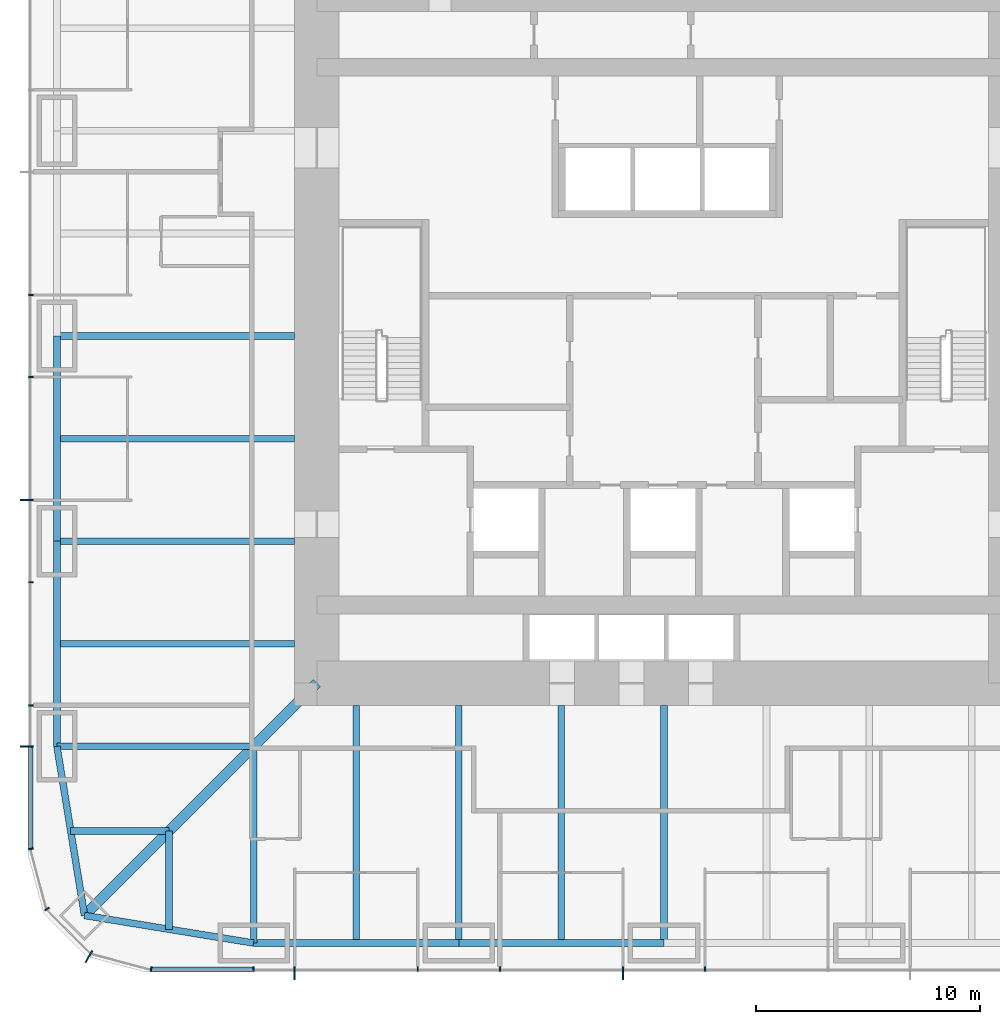
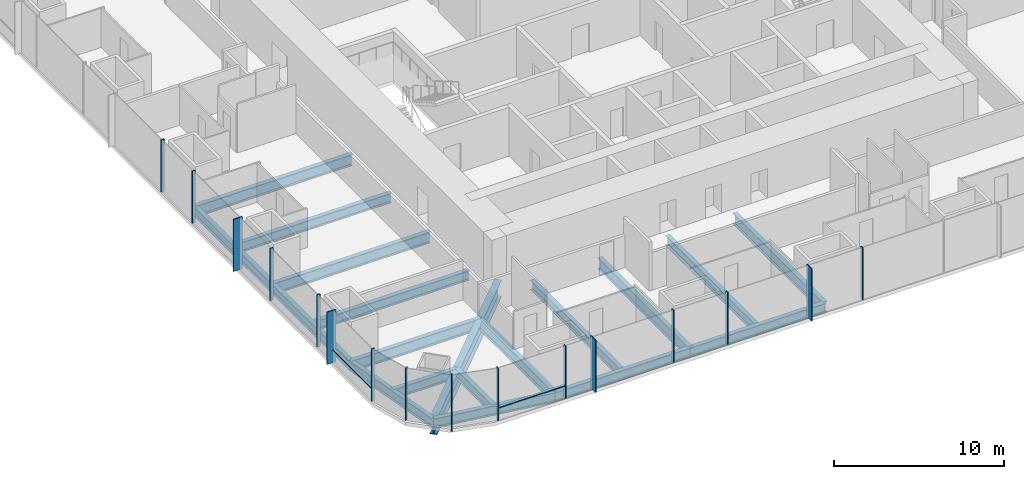
# One storey, part 2 of 11: 19 beams, 18 members, 3 elements without a shape of their own.
"""IFC4 building model written with IfcOpenShell, lengths in metres."""

from ifc_helpers import new_model, si_unit, direction, frame, origin, origin_2d, place, context, subcontext, project, spatial, rectangle, i_section, extrude, material, material_profile, profile_set, type_object, element, aggregate, save


model = new_model("IFC4")

# Units and contexts
model_context = context("Model", 3, precision=1e-05, world=origin(), true_north=direction((0.0, 1.0)))
body_context = subcontext(model_context, "Body", "Model", "MODEL_VIEW")
ifc_project = project(units=[si_unit("LENGTHUNIT", "METRE"), si_unit("AREAUNIT", "SQUARE_METRE"), si_unit("VOLUMEUNIT", "CUBIC_METRE"), si_unit("PLANEANGLEUNIT", "RADIAN"), si_unit("MASSUNIT", "GRAM", prefix="KILO")], contexts=[model_context])

# Site, building, storey
site_placement = place(None, origin())
site = spatial("IfcSite", under=ifc_project, at=site_placement, CompositionType="ELEMENT")
building_placement = place(site_placement, origin())
building = spatial("IfcBuilding", under=site, at=building_placement, Name="Khuree Lantern Residences", CompositionType="ELEMENT")
storey_placement = place(building_placement, frame((0.0, 0.0, 171.0)))
storey = spatial("IfcBuildingStorey", under=building, at=storey_placement, Name="L43", CompositionType="ELEMENT", Elevation=171.0)

# Beams
ifc_material_1 = material(Name="Steel S355", Category="steel")
ifc_material_profile_1 = material_profile(ifc_material_1, i_section(OverallWidth=0.300048828125, OverallDepth=0.68994140625, WebThickness=0.014404296875, FlangeThickness=0.027099609375, FilletRadius=0.027099609375, at=origin_2d()), Name="HE 700 A")
ifc_profile_set_1 = profile_set([ifc_material_profile_1], Name="Steel S355")
beam_type_1 = type_object("IfcBeamType", Name="B-25A SECONDARY BEAM HE 700 A", PredefinedType="BEAM", material=ifc_profile_set_1)
for number, where, z_axis, x_axis, name in (
    (1, (-4.580078125, -27.10009765625, -0.594970703125), (0.0, 1.0, 0.0), (-1.0, 0.0, 0.0), "Secondary beam S4"),
    (2, (-13.739990234375, -27.10009765625, -0.594970703125), (0.0, 1.0, 0.0), (-1.0, 0.0, 0.0), "Secondary beam S5"),
):
    element("IfcBeam", number, at=place(storey_placement, frame(where, z_axis=z_axis, x_axis=x_axis)), inside=storey, type_object=beam_type_1, Name=name, PredefinedType="BEAM", context=body_context, shape_type="SweptSolid", body=[
        extrude(i_section(OverallWidth=0.300048828125, OverallDepth=0.68994140625, WebThickness=0.014404296875, FlangeThickness=0.027099609375, FilletRadius=0.027099609375, at=origin_2d()), origin(), (0.0, 0.0, 1.0), 10.60009765625),
    ])
for number, where, z_axis, x_axis, name in (
    (3, (-22.094970703125, -26.48486328125, -0.594970703125), (0.0, 1.0, 0.0), (-1.0, 0.0, 0.0), "Secondary beam S6"),
    (4, (-26.48486328125, -22.094970703125, -0.594970703125), (1.0, 0.0, 0.0), (0.0, 1.0, 0.0), "Secondary beam W1"),
):
    element("IfcBeam", number, at=place(storey_placement, frame(where, z_axis=z_axis, x_axis=x_axis)), inside=storey, type_object=beam_type_1, Name=name, PredefinedType="BEAM", context=body_context, shape_type="SweptSolid", body=[
        extrude(i_section(OverallWidth=0.300048828125, OverallDepth=0.68994140625, WebThickness=0.014404296875, FlangeThickness=0.027099609375, FilletRadius=0.027099609375, at=origin_2d()), origin(), (0.0, 0.0, 1.0), 4.389892578125),
    ])
for number, where, z_axis, x_axis, name in (
    (5, (-27.10009765625, -13.739990234375, -0.594970703125), (1.0, 0.0, 0.0), (0.0, 1.0, 0.0), "Secondary beam W2"),
    (6, (-27.10009765625, -4.580078125, -0.594970703125), (1.0, 0.0, 0.0), (0.0, 1.0, 0.0), "Secondary beam W3"),
):
    element("IfcBeam", number, at=place(storey_placement, frame(where, z_axis=z_axis, x_axis=x_axis)), inside=storey, type_object=beam_type_1, Name=name, PredefinedType="BEAM", context=body_context, shape_type="SweptSolid", body=[
        extrude(i_section(OverallWidth=0.300048828125, OverallDepth=0.68994140625, WebThickness=0.014404296875, FlangeThickness=0.027099609375, FilletRadius=0.027099609375, at=origin_2d()), origin(), (0.0, 0.0, 1.0), 10.60009765625),
    ])
ifc_material_profile_2 = material_profile(ifc_material_1, i_section(OverallWidth=0.300048828125, OverallDepth=0.68994140625, WebThickness=0.014404296875, FlangeThickness=0.027099609375, FilletRadius=0.027099609375, at=origin_2d()), Name="HE 700 A")
ifc_profile_set_2 = profile_set([ifc_material_profile_2], Name="Steel S355")
beam_type_2 = type_object("IfcBeamType", Name="E-25 SPANDREL BEAM HE 700 A", PredefinedType="SPANDREL", material=ifc_profile_set_2)
beam_1_placement = place(storey_placement, frame((0.0, -27.10009765625, -0.594970703125), z_axis=(-1.0, 0.0, 0.0), x_axis=(0.0, -1.0, 0.0)))
element("IfcBeam", 7, at=beam_1_placement, inside=storey, type_object=beam_type_2, Name="Spandrel beam S4", PredefinedType="SPANDREL", context=body_context, shape_type="SweptSolid", body=[
    extrude(i_section(OverallWidth=0.300048828125, OverallDepth=0.68994140625, WebThickness=0.014404296875, FlangeThickness=0.027099609375, FilletRadius=0.027099609375, at=origin_2d()), origin(), (0.0, 0.0, 1.0), 9.159912109375),
])
beam_2_placement = place(storey_placement, frame((-9.159912109375, -27.10009765625, -0.594970703125), z_axis=(-1.0, 0.0, 0.0), x_axis=(0.0, -1.0, 0.0)))
element("IfcBeam", 8, at=beam_2_placement, inside=storey, type_object=beam_type_2, Name="Spandrel beam S5", PredefinedType="SPANDREL", context=body_context, shape_type="SweptSolid", body=[
    extrude(i_section(OverallWidth=0.300048828125, OverallDepth=0.68994140625, WebThickness=0.014404296875, FlangeThickness=0.027099609375, FilletRadius=0.027099609375, at=origin_2d()), origin(), (0.0, 0.0, 1.0), 9.16015625),
])
for number, where, z_axis, x_axis, name in (
    (9, (-18.320068359375, -27.10009765625, -0.594970703125), (-0.986982656839, 0.160826723833, 0.0), (-0.160826723833, -0.986982656839, 0.0), "Spandrel beam S6"),
    (10, (-25.869873046875, -25.869873046875, -0.594970703125), (-0.160826723833, 0.986982656839, 0.0), (-0.986982656839, -0.160826723833, 0.0), "Spandrel beam W1"),
):
    element("IfcBeam", number, at=place(storey_placement, frame(where, z_axis=z_axis, x_axis=x_axis)), inside=storey, type_object=beam_type_2, Name=name, PredefinedType="SPANDREL", context=body_context, shape_type="SweptSolid", body=[
        extrude(i_section(OverallWidth=0.300048828125, OverallDepth=0.68994140625, WebThickness=0.014404296875, FlangeThickness=0.027099609375, FilletRadius=0.027099609375, at=origin_2d()), origin(), (0.0, 0.0, 1.0), 7.6494140625),
    ])
beam_3_placement = place(storey_placement, frame((-27.10009765625, -18.320068359375, -0.594970703125), z_axis=(0.0, 1.0, 0.0), x_axis=(-1.0, 0.0, 0.0)))
element("IfcBeam", 11, at=beam_3_placement, inside=storey, type_object=beam_type_2, Name="Spandrel beam W2", PredefinedType="SPANDREL", context=body_context, shape_type="SweptSolid", body=[
    extrude(i_section(OverallWidth=0.300048828125, OverallDepth=0.68994140625, WebThickness=0.014404296875, FlangeThickness=0.027099609375, FilletRadius=0.027099609375, at=origin_2d()), origin(), (0.0, 0.0, 1.0), 9.16015625),
])
beam_4_placement = place(storey_placement, frame((-27.10009765625, -9.159912109375, -0.594970703125), z_axis=(0.0, 1.0, 0.0), x_axis=(-1.0, 0.0, 0.0)))
element("IfcBeam", 12, at=beam_4_placement, inside=storey, type_object=beam_type_2, Name="Spandrel beam W3", PredefinedType="SPANDREL", context=body_context, shape_type="SweptSolid", body=[
    extrude(i_section(OverallWidth=0.300048828125, OverallDepth=0.68994140625, WebThickness=0.014404296875, FlangeThickness=0.027099609375, FilletRadius=0.027099609375, at=origin_2d()), origin(), (0.0, 0.0, 1.0), 9.159912109375),
])

# Curtain wall, members
ifc_material_2 = material(Name="Bronze anodised aluminium", Category="aluminium")
curtain_wall_type_1 = type_object("IfcCurtainWallType", Name="CW-T1 TOWER FACE CURTAIN WALL", PredefinedType="USERDEFINED", material=ifc_material_2)
curtain_wall_1_placement = place(storey_placement, origin())
curtain_wall_1 = element("IfcCurtainWall", 13, at=curtain_wall_1_placement, inside=storey, type_object=curtain_wall_type_1, Name="L43 WEST FACE CURTAIN WALL", ObjectType="Stick-built curtain wall", PredefinedType="USERDEFINED")
ifc_material_profile_3 = material_profile(ifc_material_2, rectangle(XDim=0.06494140625, YDim=0.60009765625, at=origin_2d()), Name="F1 65X600")
ifc_profile_set_3 = profile_set([ifc_material_profile_3], Name="Bronze anodised aluminium")
member_type_1 = type_object("IfcMemberType", Name="F1 BRONZE FIN MULLION TOWER 65X600", PredefinedType="MULLION", material=ifc_profile_set_3)
member_1_placement = place(storey_placement, frame((-28.449951171875, -7.327880859375, 0.0), z_axis=(0.0, 0.0, 1.0), x_axis=(0.0, -1.0, 0.0)))
member_1 = element("IfcMember", 14, at=member_1_placement, type_object=member_type_1, Name="L43 WEST FACE FIN MULLION 39", PredefinedType="MULLION", context=body_context, shape_type="SweptSolid", body=[
    extrude(rectangle(XDim=0.06494140625, YDim=0.60009765625, at=origin_2d()), origin(), (0.0, 0.0, 1.0), 3.75),
])
member_2_placement = place(storey_placement, frame((-28.449951171875, -18.320068359375, 0.0), z_axis=(0.0, 0.0, 1.0), x_axis=(0.0, -1.0, 0.0)))
member_2 = element("IfcMember", 15, at=member_2_placement, type_object=member_type_1, Name="L43 WEST FACE FIN MULLION 42", PredefinedType="MULLION", context=body_context, shape_type="SweptSolid", body=[
    extrude(rectangle(XDim=0.06494140625, YDim=0.60009765625, at=origin_2d()), origin(), (0.0, 0.0, 1.0), 3.75),
])

# Curtain wall, member
curtain_wall_type_2 = type_object("IfcCurtainWallType", Name="CW-T2 TOWER CORNER CURTAIN WALL", PredefinedType="USERDEFINED", material=ifc_material_2)
curtain_wall_2_placement = place(storey_placement, origin())
curtain_wall_2 = element("IfcCurtainWall", 16, at=curtain_wall_2_placement, inside=storey, type_object=curtain_wall_type_2, Name="L43 SOUTH-WEST CORNER CURTAIN WALL", ObjectType="Faceted corner curtain wall", PredefinedType="USERDEFINED")
member_3_placement = place(storey_placement, frame((-25.675048828125, -27.70654296875, 0.0), z_axis=(0.0, 0.0, 1.0), x_axis=(0.866025388199, -0.500000026995, 0.0)))
member_3 = element("IfcMember", 17, at=member_3_placement, type_object=member_type_1, Name="L43 SOUTH-WEST CORNER FIN MULLION 45", PredefinedType="MULLION", context=body_context, shape_type="SweptSolid", body=[
    extrude(rectangle(XDim=0.06494140625, YDim=0.60009765625, at=origin_2d()), origin(), (0.0, 0.0, 1.0), 3.75),
])

# Curtain wall, members
curtain_wall_3_placement = place(storey_placement, origin())
curtain_wall_3 = element("IfcCurtainWall", 18, at=curtain_wall_3_placement, inside=storey, type_object=curtain_wall_type_1, Name="L43 SOUTH FACE CURTAIN WALL", ObjectType="Stick-built curtain wall", PredefinedType="USERDEFINED")
member_4_placement = place(storey_placement, frame((-16.488037109375, -28.449951171875, 0.0), z_axis=(0.0, 0.0, 1.0), x_axis=(1.0, 0.0, 0.0)))
member_4 = element("IfcMember", 19, at=member_4_placement, type_object=member_type_1, Name="L43 SOUTH FACE FIN MULLION 48", PredefinedType="MULLION", context=body_context, shape_type="SweptSolid", body=[
    extrude(rectangle(XDim=0.06494140625, YDim=0.60009765625, at=origin_2d()), origin(), (0.0, 0.0, 1.0), 3.75),
])
member_5_placement = place(storey_placement, frame((-1.83203125, -28.449951171875, 0.0), z_axis=(0.0, 0.0, 1.0), x_axis=(1.0, 0.0, 0.0)))
member_5 = element("IfcMember", 20, at=member_5_placement, type_object=member_type_1, Name="L43 SOUTH FACE FIN MULLION 51", PredefinedType="MULLION", context=body_context, shape_type="SweptSolid", body=[
    extrude(rectangle(XDim=0.06494140625, YDim=0.60009765625, at=origin_2d()), origin(), (0.0, 0.0, 1.0), 3.75),
])

# Beams
ifc_material_profile_4 = material_profile(ifc_material_1, i_section(OverallWidth=0.300048828125, OverallDepth=0.800048828125, WebThickness=0.017578125, FlangeThickness=0.032958984375, FilletRadius=0.030029296875, at=origin_2d()), Name="HE 800 B")
ifc_profile_set_4 = profile_set([ifc_material_profile_4], Name="Steel S355")
beam_type_3 = type_object("IfcBeamType", Name="G-25A GIRDER HE 800 B", PredefinedType="BEAM", material=ifc_profile_set_4)
for number, where, z_axis, x_axis, name in (
    (21, (0.0, -27.10009765625, -0.64990234375), (0.0, 1.0, 0.0), (-1.0, 0.0, 0.0), "Girder S3"),
    (22, (-9.159912109375, -27.10009765625, -0.64990234375), (0.0, 1.0, 0.0), (-1.0, 0.0, 0.0), "Girder S4"),
):
    element("IfcBeam", number, at=place(storey_placement, frame(where, z_axis=z_axis, x_axis=x_axis)), inside=storey, type_object=beam_type_3, Name=name, PredefinedType="BEAM", context=body_context, shape_type="SweptSolid", body=[
        extrude(i_section(OverallWidth=0.300048828125, OverallDepth=0.800048828125, WebThickness=0.017578125, FlangeThickness=0.032958984375, FilletRadius=0.030029296875, at=origin_2d()), origin(), (0.0, 0.0, 1.0), 10.60009765625),
    ])
for number, where, z_axis, x_axis, name in (
    (23, (-18.320068359375, -27.10009765625, -0.64990234375), (0.0, 1.0, 0.0), (-1.0, 0.0, 0.0), "Girder S5"),
    (24, (-27.10009765625, -18.320068359375, -0.64990234375), (1.0, 0.0, 0.0), (0.0, 1.0, 0.0), "Girder W1"),
):
    element("IfcBeam", number, at=place(storey_placement, frame(where, z_axis=z_axis, x_axis=x_axis)), inside=storey, type_object=beam_type_3, Name=name, PredefinedType="BEAM", context=body_context, shape_type="SweptSolid", body=[
        extrude(i_section(OverallWidth=0.300048828125, OverallDepth=0.800048828125, WebThickness=0.017578125, FlangeThickness=0.032958984375, FilletRadius=0.030029296875, at=origin_2d()), origin(), (0.0, 0.0, 1.0), 8.780029296875),
    ])
for number, where, z_axis, x_axis, name in (
    (25, (-27.10009765625, -9.159912109375, -0.64990234375), (1.0, 0.0, 0.0), (0.0, 1.0, 0.0), "Girder W2"),
    (26, (-27.10009765625, 0.0, -0.64990234375), (1.0, 0.0, 0.0), (0.0, 1.0, 0.0), "Girder W3"),
):
    element("IfcBeam", number, at=place(storey_placement, frame(where, z_axis=z_axis, x_axis=x_axis)), inside=storey, type_object=beam_type_3, Name=name, PredefinedType="BEAM", context=body_context, shape_type="SweptSolid", body=[
        extrude(i_section(OverallWidth=0.300048828125, OverallDepth=0.800048828125, WebThickness=0.017578125, FlangeThickness=0.032958984375, FilletRadius=0.030029296875, at=origin_2d()), origin(), (0.0, 0.0, 1.0), 10.60009765625),
    ])
ifc_material_profile_5 = material_profile(ifc_material_1, i_section(OverallWidth=0.449951171875, OverallDepth=1.199951171875, WebThickness=0.02490234375, FlangeThickness=0.044921875, at=origin_2d()), Name="WELDED I 1200X450X25X45")
ifc_profile_set_5 = profile_set([ifc_material_profile_5], Name="Steel S355")
beam_type_4 = type_object("IfcBeamType", Name="GD-25 CORNER GIRDER WELDED I 1200X450X25X45", PredefinedType="BEAM", material=ifc_profile_set_5)
beam_5_placement = place(storey_placement, frame((-25.869873046875, -25.869873046875, -0.85009765625), z_axis=(0.707106781187, 0.707106781187, 0.0), x_axis=(-0.707106781187, 0.707106781187, 0.0)))
element("IfcBeam", 27, at=beam_5_placement, inside=storey, type_object=beam_type_4, Name="Corner girder SW", PredefinedType="BEAM", context=body_context, shape_type="SweptSolid", body=[
    extrude(i_section(OverallWidth=0.449951171875, OverallDepth=1.199951171875, WebThickness=0.02490234375, FlangeThickness=0.044921875, at=origin_2d()), origin(), (0.0, 0.0, 1.0), 14.665283203125),
])

# Member
ifc_material_profile_6 = material_profile(ifc_material_2, rectangle(XDim=0.06494140625, YDim=0.219970703125, at=origin_2d()), Name="M1 65X220")
ifc_profile_set_6 = profile_set([ifc_material_profile_6], Name="Bronze anodised aluminium")
member_type_2 = type_object("IfcMemberType", Name="M1 BRONZE MULLION TOWER 65X220", PredefinedType="MULLION", material=ifc_profile_set_6)
member_6_placement = place(storey_placement, frame((-28.260009765625, 1.83203125, 0.0), z_axis=(0.0, 0.0, 1.0), x_axis=(0.0, -1.0, 0.0)))
member_6 = element("IfcMember", 28, at=member_6_placement, type_object=member_type_2, Name="L43 WEST FACE MULLION 37", PredefinedType="MULLION", context=body_context, shape_type="SweptSolid", body=[
    extrude(rectangle(XDim=0.06494140625, YDim=0.219970703125, at=origin_2d()), origin(), (0.0, 0.0, 1.0), 3.75),
])

member_7_placement = place(storey_placement, frame((-28.260009765625, -1.83203125, 0.0), z_axis=(0.0, 0.0, 1.0), x_axis=(0.0, -1.0, 0.0)))
member_7 = element("IfcMember", 29, at=member_7_placement, type_object=member_type_2, Name="L43 WEST FACE MULLION 38", PredefinedType="MULLION", context=body_context, shape_type="SweptSolid", body=[
    extrude(rectangle(XDim=0.06494140625, YDim=0.219970703125, at=origin_2d()), origin(), (0.0, 0.0, 1.0), 3.75),
])

member_8_placement = place(storey_placement, frame((-28.260009765625, -10.991943359375, 0.0), z_axis=(0.0, 0.0, 1.0), x_axis=(0.0, -1.0, 0.0)))
member_8 = element("IfcMember", 30, at=member_8_placement, type_object=member_type_2, Name="L43 WEST FACE MULLION 40", PredefinedType="MULLION", context=body_context, shape_type="SweptSolid", body=[
    extrude(rectangle(XDim=0.06494140625, YDim=0.219970703125, at=origin_2d()), origin(), (0.0, 0.0, 1.0), 3.75),
])

member_9_placement = place(storey_placement, frame((-28.260009765625, -16.488037109375, 0.0), z_axis=(0.0, 0.0, 1.0), x_axis=(0.0, -1.0, 0.0)))
member_9 = element("IfcMember", 31, at=member_9_placement, type_object=member_type_2, Name="L43 WEST FACE MULLION 41", PredefinedType="MULLION", context=body_context, shape_type="SweptSolid", body=[
    extrude(rectangle(XDim=0.06494140625, YDim=0.219970703125, at=origin_2d()), origin(), (0.0, 0.0, 1.0), 3.75),
])

member_10_placement = place(storey_placement, frame((-28.26171875, -22.89501953125, 0.0), z_axis=(0.0, 0.0, 1.0), x_axis=(0.130526223125, -0.991444857305, 0.0)))
member_10 = element("IfcMember", 32, at=member_10_placement, type_object=member_type_2, Name="L43 SOUTH-WEST CORNER MULLION 43", PredefinedType="MULLION", context=body_context, shape_type="SweptSolid", body=[
    extrude(rectangle(XDim=0.06494140625, YDim=0.219970703125, at=origin_2d()), origin(), (0.0, 0.0, 1.0), 3.75),
])

member_11_placement = place(storey_placement, frame((-27.5419921875, -25.580078125, 0.0), z_axis=(0.0, 0.0, 1.0), x_axis=(0.500000026995, -0.866025388199, 0.0)))
member_11 = element("IfcMember", 33, at=member_11_placement, type_object=member_type_2, Name="L43 SOUTH-WEST CORNER MULLION 44", PredefinedType="MULLION", context=body_context, shape_type="SweptSolid", body=[
    extrude(rectangle(XDim=0.06494140625, YDim=0.219970703125, at=origin_2d()), origin(), (0.0, 0.0, 1.0), 3.75),
])

aggregate(curtain_wall_2, [member_10, member_11, member_3])

member_12_placement = place(storey_placement, frame((-22.89501953125, -28.26171875, 0.0), z_axis=(0.0, 0.0, 1.0), x_axis=(0.991444857305, -0.130526223125, 0.0)))
member_12 = element("IfcMember", 34, at=member_12_placement, type_object=member_type_2, Name="L43 SOUTH FACE MULLION 46", PredefinedType="MULLION", context=body_context, shape_type="SweptSolid", body=[
    extrude(rectangle(XDim=0.06494140625, YDim=0.219970703125, at=origin_2d()), origin(), (0.0, 0.0, 1.0), 3.75),
])

member_13_placement = place(storey_placement, frame((-18.320068359375, -28.260009765625, 0.0), z_axis=(0.0, 0.0, 1.0), x_axis=(1.0, 0.0, 0.0)))
member_13 = element("IfcMember", 35, at=member_13_placement, type_object=member_type_2, Name="L43 SOUTH FACE MULLION 47", PredefinedType="MULLION", context=body_context, shape_type="SweptSolid", body=[
    extrude(rectangle(XDim=0.06494140625, YDim=0.219970703125, at=origin_2d()), origin(), (0.0, 0.0, 1.0), 3.75),
])

member_14_placement = place(storey_placement, frame((-10.991943359375, -28.260009765625, 0.0), z_axis=(0.0, 0.0, 1.0), x_axis=(1.0, 0.0, 0.0)))
member_14 = element("IfcMember", 36, at=member_14_placement, type_object=member_type_2, Name="L43 SOUTH FACE MULLION 49", PredefinedType="MULLION", context=body_context, shape_type="SweptSolid", body=[
    extrude(rectangle(XDim=0.06494140625, YDim=0.219970703125, at=origin_2d()), origin(), (0.0, 0.0, 1.0), 3.75),
])

member_15_placement = place(storey_placement, frame((-7.327880859375, -28.260009765625, 0.0), z_axis=(0.0, 0.0, 1.0), x_axis=(1.0, 0.0, 0.0)))
member_15 = element("IfcMember", 37, at=member_15_placement, type_object=member_type_2, Name="L43 SOUTH FACE MULLION 50", PredefinedType="MULLION", context=body_context, shape_type="SweptSolid", body=[
    extrude(rectangle(XDim=0.06494140625, YDim=0.219970703125, at=origin_2d()), origin(), (0.0, 0.0, 1.0), 3.75),
])

member_16_placement = place(storey_placement, frame((1.83203125, -28.260009765625, 0.0), z_axis=(0.0, 0.0, 1.0), x_axis=(1.0, 0.0, 0.0)))
member_16 = element("IfcMember", 38, at=member_16_placement, type_object=member_type_2, Name="L43 SOUTH FACE MULLION 52", PredefinedType="MULLION", context=body_context, shape_type="SweptSolid", body=[
    extrude(rectangle(XDim=0.06494140625, YDim=0.219970703125, at=origin_2d()), origin(), (0.0, 0.0, 1.0), 3.75),
])

ifc_material_profile_7 = material_profile(ifc_material_2, rectangle(XDim=0.179931640625, YDim=0.06494140625, at=origin_2d()), Name="T1 180X65")
ifc_profile_set_7 = profile_set([ifc_material_profile_7], Name="Bronze anodised aluminium")
member_type_3 = type_object("IfcMemberType", Name="TRANSOM T1 TOWER 180X65", PredefinedType="USERDEFINED", material=ifc_profile_set_7)
member_17_placement = place(storey_placement, frame((-28.27001953125, -18.3525390625, 0.89990234375), z_axis=(0.0, -1.0, 0.0), x_axis=(1.0, 0.0, 0.0)))
member_17 = element("IfcMember", 39, at=member_17_placement, type_object=member_type_3, Name="L43 WEST FACE TRANSOM 42.1", ObjectType="Transom", PredefinedType="USERDEFINED", context=body_context, shape_type="SweptSolid", body=[
    extrude(rectangle(XDim=0.179931640625, YDim=0.06494140625, at=origin_2d()), origin(), (0.0, 0.0, 1.0), 4.498779296875),
])

aggregate(curtain_wall_1, [member_6, member_7, member_1, member_8, member_9, member_2, member_17])

member_18_placement = place(storey_placement, frame((-22.851318359375, -28.27001953125, 0.89990234375), z_axis=(1.0, 0.0, 0.0), x_axis=(0.0, 1.0, 0.0)))
member_18 = element("IfcMember", 40, at=member_18_placement, type_object=member_type_3, Name="L43 SOUTH FACE TRANSOM 46.1", ObjectType="Transom", PredefinedType="USERDEFINED", context=body_context, shape_type="SweptSolid", body=[
    extrude(rectangle(XDim=0.179931640625, YDim=0.06494140625, at=origin_2d()), origin(), (0.0, 0.0, 1.0), 4.498779296875),
])

aggregate(curtain_wall_3, [member_12, member_13, member_4, member_14, member_15, member_5, member_16, member_18])

save(model, "model.ifc")
